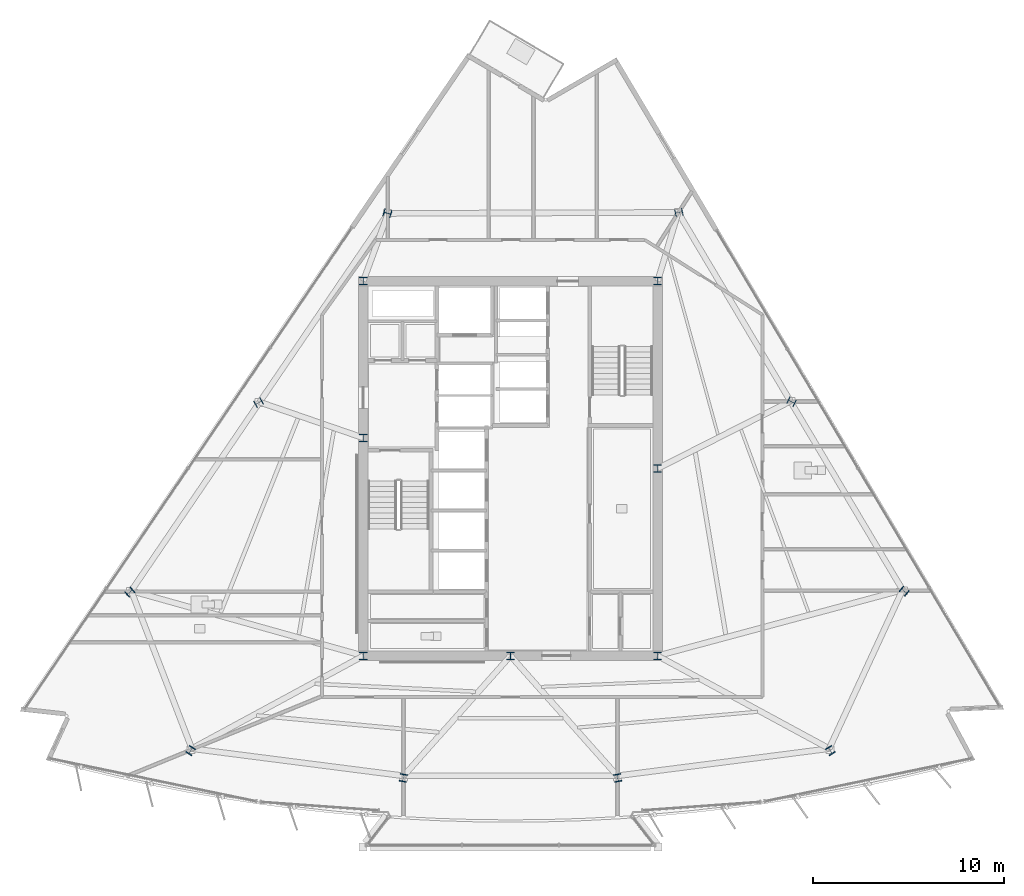
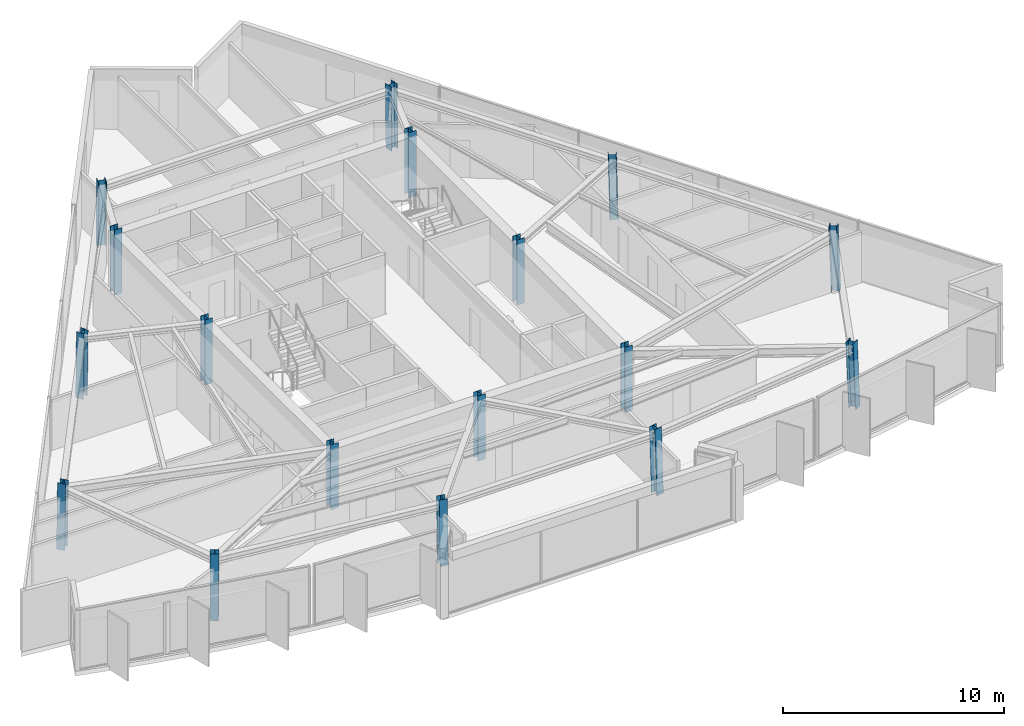
# One storey, part 1 of 14: 17 columns.
"""IFC4 building model written with IfcOpenShell, lengths in metres."""

import ifcopenshell
import ifcopenshell.guid

model = None  # the IFC model being written
_history = None  # IfcOwnerHistory: only IFC2X3 demands one
_inside = {}  # id of a spatial element -> (the spatial element, [elements in it])
_under = {}  # id of a project, library or spatial element -> (it, [spatial elements below it])
_declared = {}  # id of a project -> (the project, [libraries it declares])
_typed = {}  # id of a type object -> (the type object, [elements of that type])
_made_of = {}  # id of a material, layer set ... -> (it, [elements and type objects made of it])


def new_model(schema):
    """Start an empty IFC model of exactly this schema.

    Asked for "IFC4X3", IfcOpenShell would pick the latest addendum, in which some entities
    have other attributes; the version numbers below select the first issue.
    IFC2X3 requires an IfcOwnerHistory on every rooted entity: one is made here for all.
    """
    global model, _history
    if schema == "IFC4X3":
        model = ifcopenshell.file(schema_version=(4, 3, 0, 0))
    else:
        model = ifcopenshell.file(schema=schema)
    _inside.clear()
    _under.clear()
    _declared.clear()
    _typed.clear()
    _made_of.clear()
    _history = None
    if model.schema == "IFC2X3":
        org = make("IfcOrganization", Name="unknown")
        user = make(
            "IfcPersonAndOrganization",
            ThePerson=make("IfcPerson", FamilyName="unknown"),
            TheOrganization=org,
        )
        app = make(
            "IfcApplication",
            ApplicationDeveloper=org,
            Version="unknown",
            ApplicationFullName="unknown",
            ApplicationIdentifier="unknown",
        )
        _history = make(
            "IfcOwnerHistory",
            OwningUser=user,
            OwningApplication=app,
            ChangeAction="ADDED",
            CreationDate=0,
        )
    return model


def make(cls, **values):
    """One entity of the class cls with the attributes given. An attribute that is None is left unset."""
    return model.create_entity(
        cls, **{name: value for name, value in values.items() if value is not None}
    )


def rooted(cls, **values):
    """An entity with a GlobalId (a new one), such as an element, a storey or a relation."""
    return make(cls, GlobalId=ifcopenshell.guid.new(), OwnerHistory=_history, **values)


def si_unit(unit_type, name, prefix=None):
    """IfcSIUnit, for example si_unit("LENGTHUNIT", "METRE", prefix="MILLI")."""
    return make("IfcSIUnit", UnitType=unit_type, Prefix=prefix, Name=name)


def assignment(units):
    """IfcUnitAssignment: the units of a project."""
    return None if units is None else make("IfcUnitAssignment", Units=units)


def point(xyz):
    """IfcCartesianPoint."""
    return None if xyz is None else make("IfcCartesianPoint", Coordinates=xyz)


def direction(xyz):
    """IfcDirection."""
    return None if xyz is None else make("IfcDirection", DirectionRatios=xyz)


def frame(location, z_axis=None, x_axis=None):
    """IfcAxis2Placement3D, a coordinate frame: its origin and axes. An axis left out is left unset."""
    return make(
        "IfcAxis2Placement3D",
        Location=point(location),
        Axis=direction(z_axis),
        RefDirection=direction(x_axis),
    )


def frame_2d(location, x_axis=None):
    """IfcAxis2Placement2D, a coordinate frame in the plane: its origin and x axis."""
    return make(
        "IfcAxis2Placement2D", Location=point(location), RefDirection=direction(x_axis)
    )


def origin():
    """The frame at (0, 0, 0) with its axes left unset."""
    return frame((0.0, 0.0, 0.0))


def origin_2d():
    """The frame at (0, 0) in the plane with its x axis left unset."""
    return frame_2d((0.0, 0.0))


def place(relative_to, where):
    """IfcLocalPlacement: puts the frame where relative to a parent placement (None: the world)."""
    return make(
        "IfcLocalPlacement", PlacementRelTo=relative_to, RelativePlacement=where
    )


def context(
    kind, dimensions, precision=None, world=None, true_north=None, identifier=None
):
    """IfcGeometricRepresentationContext, for example the 3D "Model" context."""
    return make(
        "IfcGeometricRepresentationContext",
        ContextIdentifier=identifier,
        ContextType=kind,
        CoordinateSpaceDimension=dimensions,
        Precision=precision,
        WorldCoordinateSystem=world,
        TrueNorth=true_north,
    )


def subcontext(parent, identifier, kind, view, scale=None):
    """IfcGeometricRepresentationSubContext, for example "Body" below "Model"."""
    return make(
        "IfcGeometricRepresentationSubContext",
        ContextIdentifier=identifier,
        ContextType=kind,
        ParentContext=parent,
        TargetScale=scale,
        TargetView=view,
    )


def project(units=None, contexts=None):
    """IfcProject with its units and contexts."""
    return rooted(
        "IfcProject",
        Name="project",
        RepresentationContexts=contexts,
        UnitsInContext=assignment(units),
    )


def spatial(cls, under=None, at=None, **own):
    """A site, building, storey or space (cls), placed at a placement, below another one or the project."""
    s = rooted(cls, ObjectPlacement=at, **own)
    if under is not None:
        _under.setdefault(under.id(), (under, []))[1].append(s)
    return s


def profile(cls, at=None, kind="AREA", **sizes):
    """A parametric profile (cls). Its sizes go by their IFC names, for example OverallWidth=200.0."""
    return make(cls, ProfileType=kind, Position=at, **sizes)


def i_section(**sizes):
    """IfcIShapeProfileDef."""
    return profile("IfcIShapeProfileDef", **sizes)


def extrude(swept, where, along, depth):
    """IfcExtrudedAreaSolid: the profile swept, set in the frame where, extruded along a direction by depth."""
    return make(
        "IfcExtrudedAreaSolid",
        SweptArea=swept,
        Position=where,
        ExtrudedDirection=direction(along),
        Depth=depth,
    )


def shape(context_of_items, identifier, shape_type, items):
    """IfcShapeRepresentation: the items that make up one representation, for example the "Body"."""
    return make(
        "IfcShapeRepresentation",
        ContextOfItems=context_of_items,
        RepresentationIdentifier=identifier,
        RepresentationType=shape_type,
        Items=items,
    )


def material(Name=None, Category=None):
    """IfcMaterial."""
    return make("IfcMaterial", Name=Name, Category=Category)


def material_profile(
    of_material, cross_section, Name=None, Category=None, Priority=None
):
    """IfcMaterialProfile: a cross section and its material."""
    return make(
        "IfcMaterialProfile",
        Name=Name,
        Material=of_material,
        Profile=cross_section,
        Priority=Priority,
        Category=Category,
    )


def profile_set(profiles, Name=None, composite=None):
    """IfcMaterialProfileSet."""
    return make(
        "IfcMaterialProfileSet",
        Name=Name,
        MaterialProfiles=profiles,
        CompositeProfile=composite,
    )


def made_of(thing, what):
    """Note that an element or type object is made of a material, layer set ...; save() writes the relation."""
    if what is not None:
        _made_of.setdefault(what.id(), (what, []))[1].append(thing)
    return thing


def type_object(cls, material=None, **own):
    """A type object (cls), such as IfcWallType, which elements share."""
    return made_of(rooted(cls, **own), material)


def element(
    cls,
    number,
    at=None,
    inside=None,
    cuts=None,
    type_object=None,
    material=None,
    context=None,
    identifier="Body",
    shape_type=None,
    held_by="IfcProductDefinitionShape",
    body=None,
    shapes=None,
    **own,
):
    """One element of the class cls, such as IfcWall. Its Tag is "e" and its number.

    at: its placement. inside: the storey or other place that contains it. cuts: it is an
    opening in that element (IfcRelVoidsElement). A single representation is given by context,
    identifier, shape_type and body (its items); several are given by shapes. held_by: the class
    of the entity that holds the representations. save() writes the other relations.
    """
    e = rooted(cls, Tag="e%d" % number, ObjectPlacement=at, **own)
    if body is not None:
        shapes = [shape(context, identifier, shape_type, body)]
    if shapes is not None:
        e.Representation = make(held_by, Representations=shapes)
    if inside is not None:
        _inside.setdefault(inside.id(), (inside, []))[1].append(e)
    if cuts is not None:
        rooted(
            "IfcRelVoidsElement", RelatingBuildingElement=cuts, RelatedOpeningElement=e
        )
    if type_object is not None:
        _typed.setdefault(type_object.id(), (type_object, []))[1].append(e)
    return made_of(e, material)


def aggregate(whole, parts):
    """IfcRelAggregates: a whole, such as a stair, and the parts it consists of."""
    return rooted("IfcRelAggregates", RelatingObject=whole, RelatedObjects=parts)


def save(model, path):
    """Write the relations noted so far, then the file.

    IfcRelAggregates (storeys below a building ...), IfcRelContainedInSpatialStructure (elements
    in a storey), IfcRelDefinesByType, IfcRelAssociatesMaterial and IfcRelDeclares: one each for
    every whole, place, type object, material and project.
    """
    for whole, parts in _under.values():
        aggregate(whole, parts)
    for where, things in _inside.values():
        rooted(
            "IfcRelContainedInSpatialStructure",
            RelatedElements=things,
            RelatingStructure=where,
        )
    for kind, things in _typed.values():
        rooted("IfcRelDefinesByType", RelatedObjects=things, RelatingType=kind)
    for what, things in _made_of.values():
        rooted("IfcRelAssociatesMaterial", RelatedObjects=things, RelatingMaterial=what)
    for by, libraries in _declared.values():
        rooted("IfcRelDeclares", RelatingContext=by, RelatedDefinitions=libraries)
    model.write(path)


model = new_model("IFC4")

# Units and contexts
model_context = context("Model", 3, precision=1e-05, world=origin(), true_north=direction((0.0, 1.0)))
body_context = subcontext(model_context, "Body", "Model", "MODEL_VIEW")
ifc_project = project(units=[si_unit("LENGTHUNIT", "METRE"), si_unit("AREAUNIT", "SQUARE_METRE"), si_unit("VOLUMEUNIT", "CUBIC_METRE"), si_unit("PLANEANGLEUNIT", "RADIAN"), si_unit("MASSUNIT", "GRAM", prefix="KILO")], contexts=[model_context])

# Site, building, storey
site_placement = place(None, origin())
site = spatial("IfcSite", under=ifc_project, at=site_placement, CompositionType="ELEMENT")
building_placement = place(site_placement, origin())
building = spatial("IfcBuilding", under=site, at=building_placement, Name="Savorim Split Tower", CompositionType="ELEMENT")
storey_placement = place(building_placement, frame((0.0, 0.0, 209.10009765625)))
storey = spatial("IfcBuildingStorey", under=building, at=storey_placement, Name="L55", CompositionType="ELEMENT", Elevation=209.10009765625)

# Columns
ifc_material = material(Name="Steel S355", Category="steel")
ifc_material_profile = material_profile(ifc_material, i_section(OverallWidth=0.39794921875, OverallDepth=0.386962890625, WebThickness=0.013427734375, FlangeThickness=0.02197265625, FilletRadius=0.014892578125, at=origin_2d()), Name="HD 400x262")
ifc_profile_set = profile_set([ifc_material_profile], Name="Steel S355")
column_type = type_object("IfcColumnType", Name="COL-HD-262", PredefinedType="COLUMN", material=ifc_profile_set)
for number, where, z_axis, x_axis, name in (
    (1, (-7.699951171875, -9.39990234375, 0.0), (0.0, 0.0, 1.0), (1.0, 0.0, 0.0), "L55 Core Structural Column TC-C1"),
    (2, (7.699951171875, -9.39990234375, 0.0), (0.0, 0.0, 1.0), (1.0, 0.0, 0.0), "L55 Core Structural Column TC-C2"),
    (3, (7.699951171875, 10.199951171875, 0.0), (0.0, 0.0, 1.0), (1.0, 0.0, 0.0), "L55 Core Structural Column TC-C3"),
    (4, (-7.699951171875, 10.199951171875, 0.0), (0.0, 0.0, 1.0), (1.0, 0.0, 0.0), "L55 Core Structural Column TC-C4"),
    (5, (0.0, -9.39990234375, 0.0), (0.0, 0.0, 1.0), (1.0, 0.0, 0.0), "L55 Core Structural Column TC-C5"),
    (6, (7.699951171875, 0.39990234375, 0.0), (0.0, 0.0, 1.0), (1.0, 0.0, 0.0), "L55 Core Structural Column TC-C6"),
    (7, (-7.699951171875, 2.0, 0.0), (0.0, 0.0, 1.0), (1.0, 0.0, 0.0), "L55 Core Structural Column TC-C7"),
):
    element("IfcColumn", number, at=place(storey_placement, frame(where, z_axis=z_axis, x_axis=x_axis)), inside=storey, type_object=column_type, Name=name, PredefinedType="COLUMN", context=body_context, shape_type="SweptSolid", body=[
        extrude(i_section(OverallWidth=0.39794921875, OverallDepth=0.386962890625, WebThickness=0.013427734375, FlangeThickness=0.02197265625, FilletRadius=0.014892578125, at=origin_2d()), origin(), (0.0, 0.0, 1.0), 3.599853515625),
    ])
column_1_placement = place(storey_placement, frame((-16.74609375, -14.379150390625, 0.00537109375), z_axis=(0.021205666627, 0.034459208269, 0.999181106041), x_axis=(-0.851658316705, 0.524097425664, 0.0)))
element("IfcColumn", 8, at=column_1_placement, inside=storey, type_object=column_type, Name="L55 Tapered Perimeter Column PC-S1", PredefinedType="COLUMN", context=body_context, shape_type="SweptSolid", body=[
    extrude(i_section(OverallWidth=0.39794921875, OverallDepth=0.386962890625, WebThickness=0.013427734375, FlangeThickness=0.02197265625, FilletRadius=0.014892578125, at=origin_2d()), origin(), (0.0, 0.0, 1.0), 3.592041015625),
])
for number, where, z_axis, x_axis, name in (
    (9, (-5.612548828125, -15.80859375, 0.00537109375), (0.007137482158, 0.036299194974, 0.999315478111), (-0.981211567536, 0.192934858785, 0.0), "L55 Tapered Perimeter Column PC-S2"),
    (10, (5.612548828125, -15.80859375, 0.00537109375), (-0.007137482158, 0.036299194974, 0.999315478111), (-0.981211567536, -0.192934858785, 0.0), "L55 Tapered Perimeter Column PC-S3"),
):
    element("IfcColumn", number, at=place(storey_placement, frame(where, z_axis=z_axis, x_axis=x_axis)), inside=storey, type_object=column_type, Name=name, PredefinedType="COLUMN", context=body_context, shape_type="SweptSolid", body=[
        extrude(i_section(OverallWidth=0.39794921875, OverallDepth=0.386962890625, WebThickness=0.013427734375, FlangeThickness=0.02197265625, FilletRadius=0.014892578125, at=origin_2d()), origin(), (0.0, 0.0, 1.0), 3.591552734375),
    ])
column_2_placement = place(storey_placement, frame((16.74609375, -14.379150390625, 0.00537109375), z_axis=(-0.021205666627, 0.034459208269, 0.999181106041), x_axis=(-0.851658316705, -0.524097425664, 0.0)))
element("IfcColumn", 11, at=column_2_placement, inside=storey, type_object=column_type, Name="L55 Tapered Perimeter Column PC-S4", PredefinedType="COLUMN", context=body_context, shape_type="SweptSolid", body=[
    extrude(i_section(OverallWidth=0.39794921875, OverallDepth=0.386962890625, WebThickness=0.013427734375, FlangeThickness=0.02197265625, FilletRadius=0.014892578125, at=origin_2d()), origin(), (0.0, 0.0, 1.0), 3.592041015625),
])
column_3_placement = place(storey_placement, frame((20.60888671875, -6.031494140625, 0.00537109375), z_axis=(-0.026852630098, 0.022161917499, 0.99939370904), x_axis=(-0.636528167794, -0.771253454842, 0.0)))
element("IfcColumn", 12, at=column_3_placement, inside=storey, type_object=column_type, Name="L55 Tapered Perimeter Column PC-E1", PredefinedType="COLUMN", context=body_context, shape_type="SweptSolid", body=[
    extrude(i_section(OverallWidth=0.39794921875, OverallDepth=0.386962890625, WebThickness=0.013427734375, FlangeThickness=0.02197265625, FilletRadius=0.014892578125, at=origin_2d()), origin(), (0.0, 0.0, 1.0), 3.59130859375),
])
column_4_placement = place(storey_placement, frame((14.712158203125, 3.885009765625, 0.00537109375), z_axis=(-0.019517813249, 0.009860916102, 0.999760880061), x_axis=(-0.450941633442, -0.892553439985, 0.0)))
element("IfcColumn", 13, at=column_4_placement, inside=storey, type_object=column_type, Name="L55 Tapered Perimeter Column PC-E2", PredefinedType="COLUMN", context=body_context, shape_type="SweptSolid", body=[
    extrude(i_section(OverallWidth=0.39794921875, OverallDepth=0.386962890625, WebThickness=0.013427734375, FlangeThickness=0.02197265625, FilletRadius=0.014892578125, at=origin_2d()), origin(), (0.0, 0.0, 1.0), 3.590087890625),
])
for number, where, z_axis, x_axis, name in (
    (14, (8.8154296875, 13.8017578125, 0.00537109375), (-0.012039084492, -0.002584662207, 0.999924187109), (0.209906311695, -0.977721504474, 0.0), "L55 Tapered Perimeter Column PC-E3"),
    (15, (-6.439697265625, 13.7529296875, 0.00537109375), (0.009046603167, -0.002584743762, 0.999955738056), (0.274721127897, 0.961523947641, 0.0), "L55 Tapered Perimeter Column PC-W1"),
):
    element("IfcColumn", number, at=place(storey_placement, frame(where, z_axis=z_axis, x_axis=x_axis)), inside=storey, type_object=column_type, Name=name, PredefinedType="COLUMN", context=body_context, shape_type="SweptSolid", body=[
        extrude(i_section(OverallWidth=0.39794921875, OverallDepth=0.386962890625, WebThickness=0.013427734375, FlangeThickness=0.02197265625, FilletRadius=0.014892578125, at=origin_2d()), origin(), (0.0, 0.0, 1.0), 3.58935546875),
    ])
column_5_placement = place(storey_placement, frame((-13.185791015625, 3.836181640625, 0.00537109375), z_axis=(0.017478283334, 0.009861288262, 0.999798612024), x_axis=(-0.491387103822, 0.870941280568, 0.0)))
element("IfcColumn", 16, at=column_5_placement, inside=storey, type_object=column_type, Name="L55 Tapered Perimeter Column PC-W2", PredefinedType="COLUMN", context=body_context, shape_type="SweptSolid", body=[
    extrude(i_section(OverallWidth=0.39794921875, OverallDepth=0.386962890625, WebThickness=0.013427734375, FlangeThickness=0.02197265625, FilletRadius=0.014892578125, at=origin_2d()), origin(), (0.0, 0.0, 1.0), 3.58984375),
])
column_6_placement = place(storey_placement, frame((-19.931884765625, -6.080322265625, 0.00537109375), z_axis=(0.02590150246, 0.022230423371, 0.999417290448), x_axis=(-0.65128330188, 0.758834672832, 0.0)))
element("IfcColumn", 17, at=column_6_placement, inside=storey, type_object=column_type, Name="L55 Tapered Perimeter Column PC-W3", PredefinedType="COLUMN", context=body_context, shape_type="SweptSolid", body=[
    extrude(i_section(OverallWidth=0.39794921875, OverallDepth=0.386962890625, WebThickness=0.013427734375, FlangeThickness=0.02197265625, FilletRadius=0.014892578125, at=origin_2d()), origin(), (0.0, 0.0, 1.0), 3.59130859375),
])

save(model, "model.ifc")
